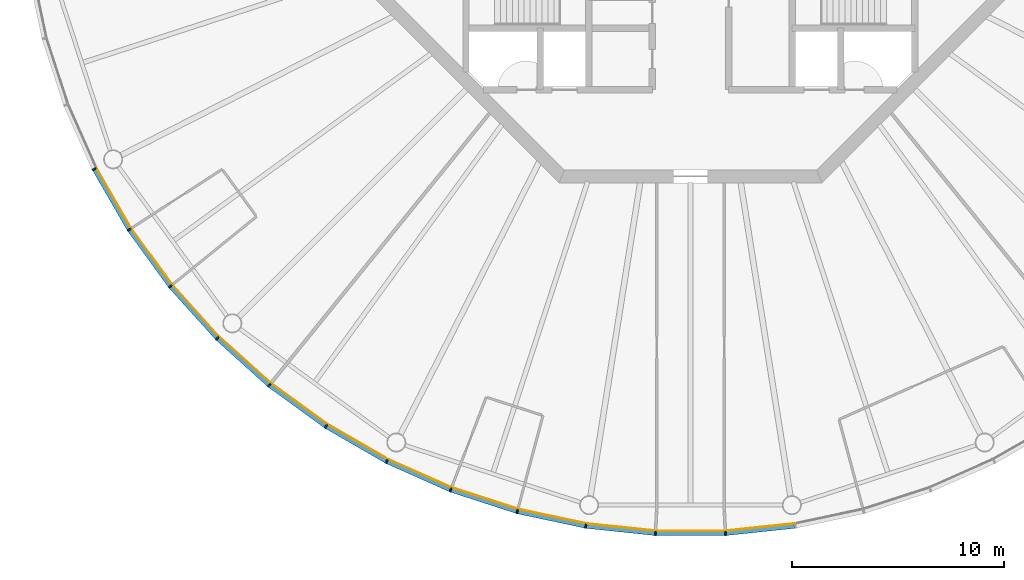
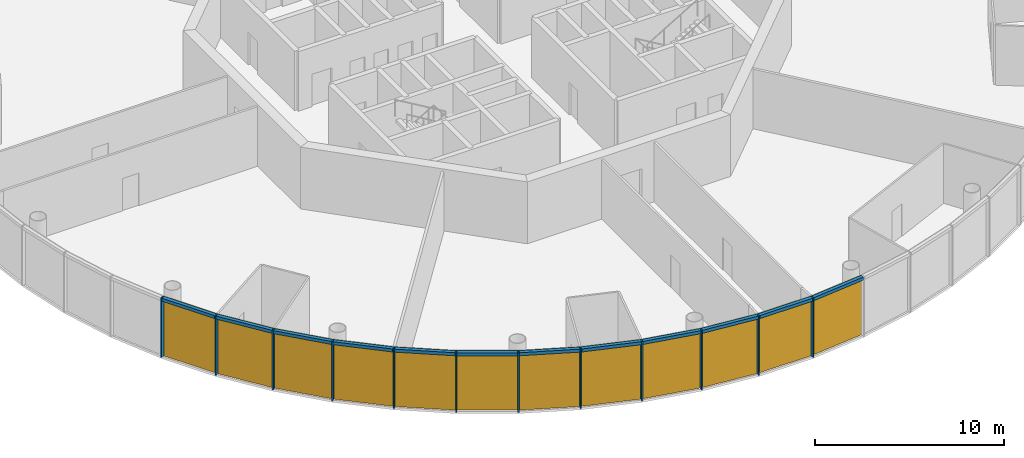
# One storey, part 7 of 13: 24 members, 4 curtain walls.
"""IFC4 building model written with IfcOpenShell, lengths in metres."""

from ifc_helpers import new_model, si_unit, direction, frame, origin, origin_2d, place, context, subcontext, project, spatial, polyline, rectangle, outline, extrude, material, layer, layer_set, material_profile, profile_set, type_object, element, aggregate, save


model = new_model("IFC4")

# Units and contexts
model_context = context("Model", 3, precision=1e-05, world=origin(), true_north=direction((0.0, 1.0)))
body_context = subcontext(model_context, "Body", "Model", "MODEL_VIEW")
ifc_project = project(units=[si_unit("LENGTHUNIT", "METRE"), si_unit("AREAUNIT", "SQUARE_METRE"), si_unit("VOLUMEUNIT", "CUBIC_METRE"), si_unit("PLANEANGLEUNIT", "RADIAN"), si_unit("MASSUNIT", "GRAM", prefix="KILO")], contexts=[model_context])

# Member
ifc_material_1 = material(Name="Anodised aluminium", Category="aluminium")
ifc_material_profile_1 = material_profile(ifc_material_1, rectangle(XDim=0.070068359375, YDim=0.205078125, at=origin_2d()), Name="Mullion 70 x 205 mm anodised aluminium")
ifc_profile_set_1 = profile_set([ifc_material_profile_1], Name="Anodised aluminium")
member_type_1 = type_object("IfcMemberType", Name="Mullion 70 x 205 mm anodised aluminium", PredefinedType="MULLION", material=ifc_profile_set_1)
site_placement = place(None, origin())
building_placement = place(site_placement, origin())
storey_placement = place(building_placement, frame((0.0, 0.0, 384.0)))
member_1_placement = place(storey_placement, frame((61.842041015625, 65.65283203125, 0.0), z_axis=(0.0, 0.0, 1.0), x_axis=(0.45399049974, -0.891006524188, 0.0)))
member_1 = element("IfcMember", 1, at=member_1_placement, type_object=member_type_1, Name="MULLION L89-33", PredefinedType="MULLION", context=body_context, shape_type="SweptSolid", body=[
    extrude(rectangle(XDim=0.070068359375, YDim=0.205078125, at=origin_2d()), origin(), (0.0, 0.0, 1.0), 3.85009765625),
])

member_2_placement = place(storey_placement, frame((63.495849609375, 62.7880859375, 0.0), z_axis=(0.0, 0.0, 1.0), x_axis=(0.544639035015, -0.838670567945, 0.0)))
member_2 = element("IfcMember", 2, at=member_2_placement, type_object=member_type_1, Name="MULLION L89-34", PredefinedType="MULLION", context=body_context, shape_type="SweptSolid", body=[
    extrude(rectangle(XDim=0.070068359375, YDim=0.205078125, at=origin_2d()), origin(), (0.0, 0.0, 1.0), 3.85009765625),
])

member_3_placement = place(storey_placement, frame((65.440185546875, 60.11181640625, 0.0), z_axis=(0.0, 0.0, 1.0), x_axis=(0.62932039105, -0.777145961457, 0.0)))
member_3 = element("IfcMember", 3, at=member_3_placement, type_object=member_type_1, Name="MULLION L89-35", PredefinedType="MULLION", context=body_context, shape_type="SweptSolid", body=[
    extrude(rectangle(XDim=0.070068359375, YDim=0.205078125, at=origin_2d()), origin(), (0.0, 0.0, 1.0), 3.85009765625),
])

member_4_placement = place(storey_placement, frame((67.653564453125, 57.653564453125, 0.0), z_axis=(0.0, 0.0, 1.0), x_axis=(0.707106781187, -0.707106781187, 0.0)))
member_4 = element("IfcMember", 4, at=member_4_placement, type_object=member_type_1, Name="MULLION L89-36", PredefinedType="MULLION", context=body_context, shape_type="SweptSolid", body=[
    extrude(rectangle(XDim=0.070068359375, YDim=0.205078125, at=origin_2d()), origin(), (0.0, 0.0, 1.0), 3.85009765625),
])

member_5_placement = place(storey_placement, frame((70.11181640625, 55.440185546875, 0.0), z_axis=(0.0, 0.0, 1.0), x_axis=(0.777145961457, -0.62932039105, 0.0)))
member_5 = element("IfcMember", 5, at=member_5_placement, type_object=member_type_1, Name="MULLION L89-37", PredefinedType="MULLION", context=body_context, shape_type="SweptSolid", body=[
    extrude(rectangle(XDim=0.070068359375, YDim=0.205078125, at=origin_2d()), origin(), (0.0, 0.0, 1.0), 3.85009765625),
])

member_6_placement = place(storey_placement, frame((72.7880859375, 53.495849609375, 0.0), z_axis=(0.0, 0.0, 1.0), x_axis=(0.838670567945, -0.544639035015, 0.0)))
member_6 = element("IfcMember", 6, at=member_6_placement, type_object=member_type_1, Name="MULLION L89-38", PredefinedType="MULLION", context=body_context, shape_type="SweptSolid", body=[
    extrude(rectangle(XDim=0.070068359375, YDim=0.205078125, at=origin_2d()), origin(), (0.0, 0.0, 1.0), 3.85009765625),
])

member_7_placement = place(storey_placement, frame((75.65283203125, 51.842041015625, 0.0), z_axis=(0.0, 0.0, 1.0), x_axis=(0.891006524188, -0.45399049974, 0.0)))
member_7 = element("IfcMember", 7, at=member_7_placement, type_object=member_type_1, Name="MULLION L89-39", PredefinedType="MULLION", context=body_context, shape_type="SweptSolid", body=[
    extrude(rectangle(XDim=0.070068359375, YDim=0.205078125, at=origin_2d()), origin(), (0.0, 0.0, 1.0), 3.85009765625),
])

member_8_placement = place(storey_placement, frame((78.674560546875, 50.49658203125, 0.0), z_axis=(0.0, 0.0, 1.0), x_axis=(0.933580426497, -0.358367949545, 0.0)))
member_8 = element("IfcMember", 8, at=member_8_placement, type_object=member_type_1, Name="MULLION L89-40", PredefinedType="MULLION", context=body_context, shape_type="SweptSolid", body=[
    extrude(rectangle(XDim=0.070068359375, YDim=0.205078125, at=origin_2d()), origin(), (0.0, 0.0, 1.0), 3.85009765625),
])

member_9_placement = place(storey_placement, frame((81.820556640625, 49.474365234375, 0.0), z_axis=(0.0, 0.0, 1.0), x_axis=(0.965925826289, -0.258819045103, 0.0)))
member_9 = element("IfcMember", 9, at=member_9_placement, type_object=member_type_1, Name="MULLION L89-41", PredefinedType="MULLION", context=body_context, shape_type="SweptSolid", body=[
    extrude(rectangle(XDim=0.070068359375, YDim=0.205078125, at=origin_2d()), origin(), (0.0, 0.0, 1.0), 3.85009765625),
])

member_10_placement = place(storey_placement, frame((85.056396484375, 48.78662109375, 0.0), z_axis=(0.0, 0.0, 1.0), x_axis=(0.987688340595, -0.15643446504, 0.0)))
member_10 = element("IfcMember", 10, at=member_10_placement, type_object=member_type_1, Name="MULLION L89-42", PredefinedType="MULLION", context=body_context, shape_type="SweptSolid", body=[
    extrude(rectangle(XDim=0.070068359375, YDim=0.205078125, at=origin_2d()), origin(), (0.0, 0.0, 1.0), 3.85009765625),
])

member_11_placement = place(storey_placement, frame((88.345947265625, 48.44091796875, 0.0), z_axis=(0.0, 0.0, 1.0), x_axis=(0.998629534755, -0.052335956243, 0.0)))
member_11 = element("IfcMember", 11, at=member_11_placement, type_object=member_type_1, Name="MULLION L89-43", PredefinedType="MULLION", context=body_context, shape_type="SweptSolid", body=[
    extrude(rectangle(XDim=0.070068359375, YDim=0.205078125, at=origin_2d()), origin(), (0.0, 0.0, 1.0), 3.85009765625),
])

member_12_placement = place(storey_placement, frame((91.654052734375, 48.44091796875, 0.0), z_axis=(0.0, 0.0, 1.0), x_axis=(0.998629534755, 0.052335956243, 0.0)))
member_12 = element("IfcMember", 12, at=member_12_placement, type_object=member_type_1, Name="MULLION L89-44", PredefinedType="MULLION", context=body_context, shape_type="SweptSolid", body=[
    extrude(rectangle(XDim=0.070068359375, YDim=0.205078125, at=origin_2d()), origin(), (0.0, 0.0, 1.0), 3.85009765625),
])

ifc_material_2 = material(Name="Anodised aluminium", Category="aluminium")
ifc_material_profile_2 = material_profile(ifc_material_2, rectangle(XDim=0.205078125, YDim=0.195068359375, at=origin_2d()), Name="Transom 195 x 205 mm anodised aluminium")
ifc_profile_set_2 = profile_set([ifc_material_profile_2], Name="Anodised aluminium")
member_type_2 = type_object("IfcMemberType", Name="Transom 195 x 205 mm anodised aluminium", PredefinedType="USERDEFINED", material=ifc_profile_set_2)
member_13_placement = place(storey_placement, frame((61.862060546875, 65.61767578125, 3.75244140625), z_axis=(0.500004055213, -0.866023062494, 0.0), x_axis=(0.866023062494, 0.500004055213, 0.0)))
member_13 = element("IfcMember", 13, at=member_13_placement, type_object=member_type_2, Name="TRANSOM L89-33", ObjectType="TRANSOM", PredefinedType="USERDEFINED", context=body_context, shape_type="SweptSolid", body=[
    extrude(rectangle(XDim=0.205078125, YDim=0.195068359375, at=origin_2d()), origin(), (0.0, 0.0, 1.0), 3.22705078125),
])

member_14_placement = place(storey_placement, frame((63.51953125, 62.75537109375, 3.75244140625), z_axis=(0.587802790201, -0.809004252048, 0.0), x_axis=(0.809004252048, 0.587802790201, 0.0)))
member_14 = element("IfcMember", 14, at=member_14_placement, type_object=member_type_2, Name="TRANSOM L89-34", ObjectType="TRANSOM", PredefinedType="USERDEFINED", context=body_context, shape_type="SweptSolid", body=[
    extrude(rectangle(XDim=0.205078125, YDim=0.195068359375, at=origin_2d()), origin(), (0.0, 0.0, 1.0), 3.227294921875),
])

member_15_placement = place(storey_placement, frame((65.467041015625, 60.081787109375, 3.75244140625), z_axis=(0.669144438484, -0.743132370743, 0.0), x_axis=(0.743132370743, 0.669144438484, 0.0)))
member_15 = element("IfcMember", 15, at=member_15_placement, type_object=member_type_2, Name="TRANSOM L89-35", ObjectType="TRANSOM", PredefinedType="USERDEFINED", context=body_context, shape_type="SweptSolid", body=[
    extrude(rectangle(XDim=0.205078125, YDim=0.195068359375, at=origin_2d()), origin(), (0.0, 0.0, 1.0), 3.22705078125),
])

member_16_placement = place(storey_placement, frame((67.68359375, 57.62646484375, 3.75244140625), z_axis=(0.743132370743, -0.669144438484, 0.0), x_axis=(0.669144438484, 0.743132370743, 0.0)))
member_16 = element("IfcMember", 16, at=member_16_placement, type_object=member_type_2, Name="TRANSOM L89-36", ObjectType="TRANSOM", PredefinedType="USERDEFINED", context=body_context, shape_type="SweptSolid", body=[
    extrude(rectangle(XDim=0.205078125, YDim=0.195068359375, at=origin_2d()), origin(), (0.0, 0.0, 1.0), 3.22705078125),
])

member_17_placement = place(storey_placement, frame((70.14453125, 55.41650390625, 3.75244140625), z_axis=(0.809004252048, -0.587802790201, 0.0), x_axis=(0.587802790201, 0.809004252048, 0.0)))
member_17 = element("IfcMember", 17, at=member_17_placement, type_object=member_type_2, Name="TRANSOM L89-37", ObjectType="TRANSOM", PredefinedType="USERDEFINED", context=body_context, shape_type="SweptSolid", body=[
    extrude(rectangle(XDim=0.205078125, YDim=0.195068359375, at=origin_2d()), origin(), (0.0, 0.0, 1.0), 3.227294921875),
])

member_18_placement = place(storey_placement, frame((72.822998046875, 53.4755859375, 3.75244140625), z_axis=(0.866023062494, -0.500004055213, 0.0), x_axis=(0.500004055213, 0.866023062494, 0.0)))
member_18 = element("IfcMember", 18, at=member_18_placement, type_object=member_type_2, Name="TRANSOM L89-38", ObjectType="TRANSOM", PredefinedType="USERDEFINED", context=body_context, shape_type="SweptSolid", body=[
    extrude(rectangle(XDim=0.205078125, YDim=0.195068359375, at=origin_2d()), origin(), (0.0, 0.0, 1.0), 3.22705078125),
])

member_19_placement = place(storey_placement, frame((75.689697265625, 51.825439453125, 3.75244140625), z_axis=(0.913521178731, -0.406791170024, 0.0), x_axis=(0.406791170024, 0.913521178731, 0.0)))
member_19 = element("IfcMember", 19, at=member_19_placement, type_object=member_type_2, Name="TRANSOM L89-39", ObjectType="TRANSOM", PredefinedType="USERDEFINED", context=body_context, shape_type="SweptSolid", body=[
    extrude(rectangle(XDim=0.205078125, YDim=0.195068359375, at=origin_2d()), origin(), (0.0, 0.0, 1.0), 3.22705078125),
])

member_20_placement = place(storey_placement, frame((78.713134765625, 50.48388671875, 3.75244140625), z_axis=(0.951046855117, -0.309046726844, 0.0), x_axis=(0.309046726844, 0.951046855117, 0.0)))
member_20 = element("IfcMember", 20, at=member_20_placement, type_object=member_type_2, Name="TRANSOM L89-40", ObjectType="TRANSOM", PredefinedType="USERDEFINED", context=body_context, shape_type="SweptSolid", body=[
    extrude(rectangle(XDim=0.205078125, YDim=0.195068359375, at=origin_2d()), origin(), (0.0, 0.0, 1.0), 3.22705078125),
])

member_21_placement = place(storey_placement, frame((81.860107421875, 49.4658203125, 3.75244140625), z_axis=(0.978153082647, -0.207885898771, 0.0), x_axis=(0.207885898771, 0.978153082647, 0.0)))
member_21 = element("IfcMember", 21, at=member_21_placement, type_object=member_type_2, Name="TRANSOM L89-41", ObjectType="TRANSOM", PredefinedType="USERDEFINED", context=body_context, shape_type="SweptSolid", body=[
    extrude(rectangle(XDim=0.205078125, YDim=0.195068359375, at=origin_2d()), origin(), (0.0, 0.0, 1.0), 3.227294921875),
])

member_22_placement = place(storey_placement, frame((85.096435546875, 48.7822265625, 3.75244140625), z_axis=(0.994519537956, -0.104550890115, 0.0), x_axis=(0.104550890115, 0.994519537956, 0.0)))
member_22 = element("IfcMember", 22, at=member_22_placement, type_object=member_type_2, Name="TRANSOM L89-42", ObjectType="TRANSOM", PredefinedType="USERDEFINED", context=body_context, shape_type="SweptSolid", body=[
    extrude(rectangle(XDim=0.205078125, YDim=0.195068359375, at=origin_2d()), origin(), (0.0, 0.0, 1.0), 3.22705078125),
])

member_23_placement = place(storey_placement, frame((88.386474609375, 48.440673828125, 3.75244140625), z_axis=(1.0, 0.0, 0.0), x_axis=(0.0, 1.0, 0.0)))
member_23 = element("IfcMember", 23, at=member_23_placement, type_object=member_type_2, Name="TRANSOM L89-43", ObjectType="TRANSOM", PredefinedType="USERDEFINED", context=body_context, shape_type="SweptSolid", body=[
    extrude(rectangle(XDim=0.205078125, YDim=0.195068359375, at=origin_2d()), origin(), (0.0, 0.0, 1.0), 3.22705078125),
])

member_24_placement = place(storey_placement, frame((91.694091796875, 48.44482421875, 3.75244140625), z_axis=(0.994519537956, 0.104550890115, 0.0), x_axis=(-0.104550890115, 0.994519537956, 0.0)))
member_24 = element("IfcMember", 24, at=member_24_placement, type_object=member_type_2, Name="TRANSOM L89-44", ObjectType="TRANSOM", PredefinedType="USERDEFINED", context=body_context, shape_type="SweptSolid", body=[
    extrude(rectangle(XDim=0.205078125, YDim=0.195068359375, at=origin_2d()), origin(), (0.0, 0.0, 1.0), 3.22705078125),
])

# Site, building, storey
site = spatial("IfcSite", under=ifc_project, at=site_placement, CompositionType="ELEMENT")
building = spatial("IfcBuilding", under=site, at=building_placement, Name="Entoto Ring Tower", CompositionType="ELEMENT")
storey = spatial("IfcBuildingStorey", under=building, at=storey_placement, Name="L89", CompositionType="ELEMENT", Elevation=384.0)

# Curtain wall
ifc_material_3 = material(Name="Clear low-iron glass", Category="glass")
ifc_layer = layer(ifc_material_3, 0.035888671875)
ifc_layer_set = layer_set([ifc_layer], Name="Clear low-iron glass")
curtain_wall_type = type_object("IfcCurtainWallType", Name="Curtain wall system CW6 glazing 36 mm", PredefinedType="NOTDEFINED", material=ifc_layer_set)
curtain_wall_1_placement = place(storey_placement, origin())
curtain_wall_1 = element("IfcCurtainWall", 25, at=curtain_wall_1_placement, inside=storey, type_object=curtain_wall_type, Name="CW6 L89-12", PredefinedType="NOTDEFINED", context=body_context, shape_type="SweptSolid", body=[
    extrude(outline(polyline([(61.933349609375, 65.69921875), (63.581787109375, 62.84375), (65.52001953125, 60.176513671875), (67.72607421875, 57.72607421875), (67.751708984375, 57.751708984375), (65.5478515625, 60.198974609375), (63.612060546875, 62.863525390625), (61.96533203125, 65.715576171875), (61.933349609375, 65.69921875)])), origin(), (0.0, 0.0, 1.0), 3.85009765625),
])

aggregate(curtain_wall_1, [member_1, member_2, member_3, member_13, member_14, member_15])

curtain_wall_2_placement = place(storey_placement, origin())
curtain_wall_2 = element("IfcCurtainWall", 26, at=curtain_wall_2_placement, inside=storey, type_object=curtain_wall_type, Name="CW6 L89-13", PredefinedType="NOTDEFINED", context=body_context, shape_type="SweptSolid", body=[
    extrude(outline(polyline([(67.72607421875, 57.72607421875), (70.176513671875, 55.52001953125), (72.84375, 53.581787109375), (75.69921875, 51.933349609375), (75.715576171875, 51.96533203125), (72.863525390625, 53.612060546875), (70.198974609375, 55.5478515625), (67.751708984375, 57.751708984375), (67.72607421875, 57.72607421875)])), origin(), (0.0, 0.0, 1.0), 3.85009765625),
])

aggregate(curtain_wall_2, [member_4, member_5, member_6, member_16, member_17, member_18])

curtain_wall_3_placement = place(storey_placement, origin())
curtain_wall_3 = element("IfcCurtainWall", 27, at=curtain_wall_3_placement, inside=storey, type_object=curtain_wall_type, Name="CW6 L89-14", PredefinedType="NOTDEFINED", context=body_context, shape_type="SweptSolid", body=[
    extrude(outline(polyline([(75.69921875, 51.933349609375), (78.71142578125, 50.59228515625), (81.84716796875, 49.5732421875), (85.072265625, 48.8876953125), (85.077880859375, 48.92333984375), (81.8564453125, 49.608154296875), (78.724365234375, 50.6259765625), (75.715576171875, 51.96533203125), (75.69921875, 51.933349609375)])), origin(), (0.0, 0.0, 1.0), 3.85009765625),
])

aggregate(curtain_wall_3, [member_7, member_8, member_9, member_19, member_20, member_21])

curtain_wall_4_placement = place(storey_placement, origin())
curtain_wall_4 = element("IfcCurtainWall", 28, at=curtain_wall_4_placement, inside=storey, type_object=curtain_wall_type, Name="CW6 L89-15", PredefinedType="NOTDEFINED", context=body_context, shape_type="SweptSolid", body=[
    extrude(outline(polyline([(85.072265625, 48.8876953125), (88.351318359375, 48.543212890625), (91.648681640625, 48.543212890625), (94.927734375, 48.8876953125), (94.922119140625, 48.92333984375), (91.646728515625, 48.5791015625), (88.353271484375, 48.5791015625), (85.077880859375, 48.92333984375), (85.072265625, 48.8876953125)])), origin(), (0.0, 0.0, 1.0), 3.85009765625),
])

aggregate(curtain_wall_4, [member_10, member_11, member_12, member_22, member_23, member_24])

save(model, "model.ifc")
